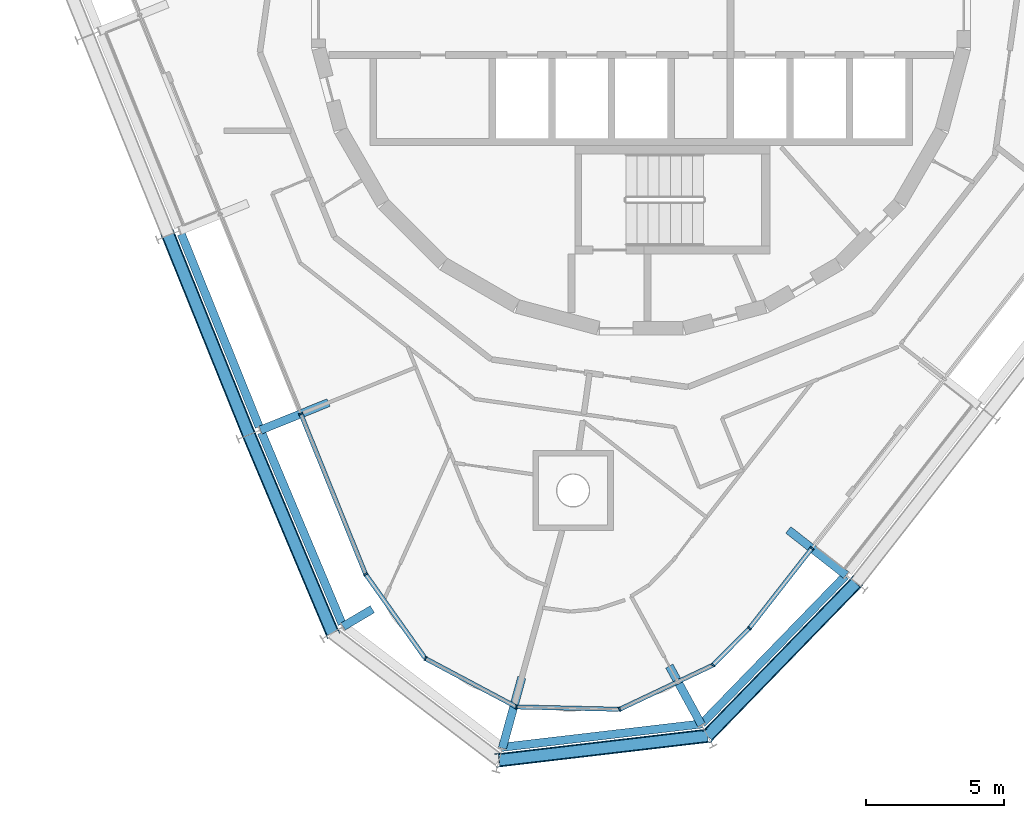
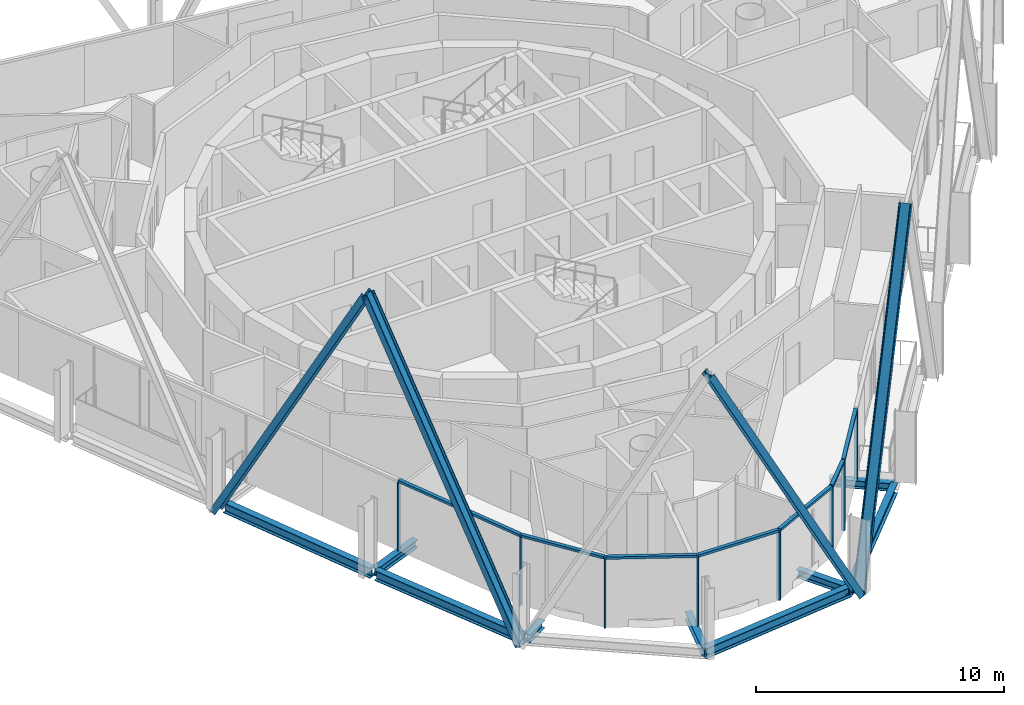
# One storey, part 2 of 15: 19 members, 9 beams, 2 elements without a shape of their own.
"""IFC4 building model written with IfcOpenShell, lengths in metres."""

from ifc_helpers import new_model, si_unit, direction, frame, origin, origin_2d, place, context, subcontext, project, spatial, rectangle, i_section, extrude, material, layer, layer_set, material_profile, profile_set, type_object, element, aggregate, save


model = new_model("IFC4")

# Units and contexts
model_context = context("Model", 3, precision=1e-05, world=origin(), true_north=direction((0.0, 1.0)))
body_context = subcontext(model_context, "Body", "Model", "MODEL_VIEW")
ifc_project = project(units=[si_unit("LENGTHUNIT", "METRE"), si_unit("AREAUNIT", "SQUARE_METRE"), si_unit("VOLUMEUNIT", "CUBIC_METRE"), si_unit("PLANEANGLEUNIT", "RADIAN"), si_unit("MASSUNIT", "GRAM", prefix="KILO")], contexts=[model_context])

# Site, building, storey
site_placement = place(None, origin())
site = spatial("IfcSite", under=ifc_project, at=site_placement, CompositionType="ELEMENT")
building_placement = place(site_placement, origin())
building = spatial("IfcBuilding", under=site, at=building_placement, Name="Spindle Arch Residences", CompositionType="ELEMENT")
storey_placement = place(building_placement, frame((0.0, 0.0, 347.0)))
storey = spatial("IfcBuildingStorey", under=building, at=storey_placement, Name="L89", CompositionType="ELEMENT", Elevation=347.0)

# Curtain wall, members
ifc_material_1 = material(Name="Aluminium bronze unitised frame with tinted glass", Category="aluminium")
ifc_layer_1 = layer(ifc_material_1, 0.159912109375)
ifc_layer_set_1 = layer_set([ifc_layer_1], Name="CW-D corner wall on the fillet arcs")
curtain_wall_type_1 = type_object("IfcCurtainWallType", Name="CW-D corner wall on the fillet arcs", PredefinedType="NOTDEFINED", material=ifc_layer_set_1)
curtain_wall_1_placement = place(storey_placement, origin())
curtain_wall_1 = element("IfcCurtainWall", 1, at=curtain_wall_1_placement, inside=storey, type_object=curtain_wall_type_1, Name="CW-D L89 run 5", PredefinedType="NOTDEFINED")
ifc_material_2 = material(Name="Aluminium bronze anodised mullion", Category="aluminium")
ifc_material_profile_1 = material_profile(ifc_material_2, rectangle(XDim=0.159912109375, YDim=0.06005859375, at=origin_2d()), Name="MU 60x160")
ifc_profile_set_1 = profile_set([ifc_material_profile_1], Name="Aluminium bronze anodised mullion")
member_type_1 = type_object("IfcMemberType", Name="Bronze mullion 60x160", PredefinedType="MULLION", material=ifc_profile_set_1)
member_1_placement = place(storey_placement, frame((-12.292724609375, -14.73779296875, -0.3798828125), z_axis=(0.0, 0.0, 1.0), x_axis=(0.927183854567, 0.374606593416, 0.0)))
member_1 = element("IfcMember", 2, at=member_1_placement, type_object=member_type_1, Name="CW-D mullion 00", PredefinedType="MULLION", context=body_context, shape_type="SweptSolid", body=[
    extrude(rectangle(XDim=0.159912109375, YDim=0.06005859375, at=origin_2d()), origin(), (0.0, 0.0, 1.0), 3.3798828125),
])
member_2_placement = place(storey_placement, frame((-9.951904296875, -20.53173828125, -0.3798828125), z_axis=(0.0, 0.0, 1.0), x_axis=(0.815801266332, 0.578332338584, 0.0)))
member_2 = element("IfcMember", 3, at=member_2_placement, type_object=member_type_1, Name="CW-D mullion 01", PredefinedType="MULLION", context=body_context, shape_type="SweptSolid", body=[
    extrude(rectangle(XDim=0.159912109375, YDim=0.06005859375, at=origin_2d()), origin(), (0.0, 0.0, 1.0), 3.3798828125),
])
member_3_placement = place(storey_placement, frame((-7.79638671875, -23.572021484375, -0.3798828125), z_axis=(0.0, 0.0, 1.0), x_axis=(0.469471563633, 0.882947592408, 0.0)))
member_3 = element("IfcMember", 4, at=member_3_placement, type_object=member_type_1, Name="CW-D mullion 02", PredefinedType="MULLION", context=body_context, shape_type="SweptSolid", body=[
    extrude(rectangle(XDim=0.159912109375, YDim=0.06005859375, at=origin_2d()), origin(), (0.0, 0.0, 1.0), 3.3798828125),
])
member_4_placement = place(storey_placement, frame((-4.505859375, -25.321533203125, -0.3798828125), z_axis=(0.0, 0.0, 1.0), x_axis=(0.023268959422, 0.999729241109, 0.0)))
member_4 = element("IfcMember", 5, at=member_4_placement, type_object=member_type_1, Name="CW-D mullion 03", PredefinedType="MULLION", context=body_context, shape_type="SweptSolid", body=[
    extrude(rectangle(XDim=0.159912109375, YDim=0.06005859375, at=origin_2d()), origin(), (0.0, 0.0, 1.0), 3.3798828125),
])
member_5_placement = place(storey_placement, frame((-0.7802734375, -25.408203125, -0.3798828125), z_axis=(0.0, 0.0, 1.0), x_axis=(-0.427883767902, 0.903833768547, 0.0)))
member_5 = element("IfcMember", 6, at=member_5_placement, type_object=member_type_1, Name="CW-D mullion 04", PredefinedType="MULLION", context=body_context, shape_type="SweptSolid", body=[
    extrude(rectangle(XDim=0.159912109375, YDim=0.06005859375, at=origin_2d()), origin(), (0.0, 0.0, 1.0), 3.3798828125),
])
member_6_placement = place(storey_placement, frame((2.588134765625, -23.813720703125, -0.3798828125), z_axis=(0.0, 0.0, 1.0), x_axis=(-0.711208575748, 0.702981053644, 0.0)))
member_6 = element("IfcMember", 7, at=member_6_placement, type_object=member_type_1, Name="CW-D mullion 05", PredefinedType="MULLION", context=body_context, shape_type="SweptSolid", body=[
    extrude(rectangle(XDim=0.159912109375, YDim=0.06005859375, at=origin_2d()), origin(), (0.0, 0.0, 1.0), 3.3798828125),
])
member_7_placement = place(storey_placement, frame((3.906982421875, -22.479248046875, -0.3798828125), z_axis=(0.0, 0.0, 1.0), x_axis=(-0.788010753607, 0.615661475326, 0.0)))
member_7 = element("IfcMember", 8, at=member_7_placement, type_object=member_type_1, Name="CW-D mullion 06", PredefinedType="MULLION", context=body_context, shape_type="SweptSolid", body=[
    extrude(rectangle(XDim=0.159912109375, YDim=0.06005859375, at=origin_2d()), origin(), (0.0, 0.0, 1.0), 3.3798828125),
])

# Curtain wall, member
ifc_material_3 = material(Name="Aluminium bronze unitised frame with tinted glass", Category="aluminium")
ifc_layer_2 = layer(ifc_material_3, 0.159912109375)
ifc_layer_set_2 = layer_set([ifc_layer_2], Name="CW-C typical residential unitised wall")
curtain_wall_type_2 = type_object("IfcCurtainWallType", Name="CW-C typical residential unitised wall", PredefinedType="NOTDEFINED", material=ifc_layer_set_2)
curtain_wall_2_placement = place(storey_placement, origin())
curtain_wall_2 = element("IfcCurtainWall", 9, at=curtain_wall_2_placement, inside=storey, type_object=curtain_wall_type_2, Name="CW-C L89 run 6", PredefinedType="NOTDEFINED")
member_8_placement = place(storey_placement, frame((6.160400390625, -19.594970703125, -0.3798828125), z_axis=(0.0, 0.0, 1.0), x_axis=(-0.788010753607, 0.615661475326, 0.0)))
member_8 = element("IfcMember", 10, at=member_8_placement, type_object=member_type_1, Name="CW-C mullion 18", PredefinedType="MULLION", context=body_context, shape_type="SweptSolid", body=[
    extrude(rectangle(XDim=0.159912109375, YDim=0.06005859375, at=origin_2d()), origin(), (0.0, 0.0, 1.0), 3.3798828125),
])
aggregate(curtain_wall_2, [member_8])

# Member
ifc_material_4 = material(Name="Aluminium bronze anodised transom", Category="aluminium")
ifc_material_profile_2 = material_profile(ifc_material_4, rectangle(XDim=0.159912109375, YDim=0.1201171875, at=origin_2d()), Name="TR 120x160")
ifc_profile_set_2 = profile_set([ifc_material_profile_2], Name="Aluminium bronze anodised transom")
member_type_2 = type_object("IfcMemberType", Name="Bronze transom 120x160", PredefinedType="USERDEFINED", material=ifc_profile_set_2)
member_9_placement = place(storey_placement, frame((-12.28125, -14.765625, 3.06005859375), z_axis=(0.374564798487, -0.927200739719, 0.0), x_axis=(0.927200739719, 0.374564798487, 0.0)))
member_9 = element("IfcMember", 11, at=member_9_placement, type_object=member_type_2, Name="CW-D transom 00", ObjectType="TRANSOM", PredefinedType="USERDEFINED", context=body_context, shape_type="SweptSolid", body=[
    extrude(rectangle(XDim=0.159912109375, YDim=0.1201171875, at=origin_2d()), origin(), (0.0, 0.0, 1.0), 6.188720703125),
])

member_10_placement = place(storey_placement, frame((-9.934326171875, -20.55615234375, 3.06005859375), z_axis=(0.578349828601, -0.815788867145, 0.0), x_axis=(0.815788867145, 0.578349828601, 0.0)))
member_10 = element("IfcMember", 12, at=member_10_placement, type_object=member_type_2, Name="CW-D transom 01", ObjectType="TRANSOM", PredefinedType="USERDEFINED", context=body_context, shape_type="SweptSolid", body=[
    extrude(rectangle(XDim=0.159912109375, YDim=0.1201171875, at=origin_2d()), origin(), (0.0, 0.0, 1.0), 3.666748046875),
])

member_11_placement = place(storey_placement, frame((-7.77001953125, -23.5859375, 3.06005859375), z_axis=(0.882947559001, -0.469471626463, 0.0), x_axis=(0.469471626463, 0.882947559001, 0.0)))
member_11 = element("IfcMember", 13, at=member_11_placement, type_object=member_type_2, Name="CW-D transom 02", ObjectType="TRANSOM", PredefinedType="USERDEFINED", context=body_context, shape_type="SweptSolid", body=[
    extrude(rectangle(XDim=0.159912109375, YDim=0.1201171875, at=origin_2d()), origin(), (0.0, 0.0, 1.0), 3.666748046875),
])

member_12_placement = place(storey_placement, frame((-4.47607421875, -25.322265625, 3.06005859375), z_axis=(0.999729981043, -0.023237147079, 0.0), x_axis=(0.023237147079, 0.999729981043, 0.0)))
member_12 = element("IfcMember", 14, at=member_12_placement, type_object=member_type_2, Name="CW-D transom 03", ObjectType="TRANSOM", PredefinedType="USERDEFINED", context=body_context, shape_type="SweptSolid", body=[
    extrude(rectangle(XDim=0.159912109375, YDim=0.1201171875, at=origin_2d()), origin(), (0.0, 0.0, 1.0), 3.666748046875),
])

member_13_placement = place(storey_placement, frame((-0.753173828125, -25.3955078125, 3.06005859375), z_axis=(0.903821874806, 0.427908890562, 0.0), x_axis=(-0.427908890562, 0.903821874806, 0.0)))
member_13 = element("IfcMember", 15, at=member_13_placement, type_object=member_type_2, Name="CW-D transom 04", ObjectType="TRANSOM", PredefinedType="USERDEFINED", context=body_context, shape_type="SweptSolid", body=[
    extrude(rectangle(XDim=0.159912109375, YDim=0.1201171875, at=origin_2d()), origin(), (0.0, 0.0, 1.0), 3.6669921875),
])

member_14_placement = place(storey_placement, frame((2.609130859375, -23.792236328125, 3.06005859375), z_axis=(0.703062417903, 0.711128143539, 0.0), x_axis=(-0.711128143539, 0.703062417903, 0.0)))
member_14 = element("IfcMember", 16, at=member_14_placement, type_object=member_type_2, Name="CW-D transom 05", ObjectType="TRANSOM", PredefinedType="USERDEFINED", context=body_context, shape_type="SweptSolid", body=[
    extrude(rectangle(XDim=0.159912109375, YDim=0.1201171875, at=origin_2d()), origin(), (0.0, 0.0, 1.0), 1.816162109375),
])

member_15_placement = place(storey_placement, frame((3.925537109375, -22.455810546875, 3.06005859375), z_axis=(0.615647989673, 0.788021289568, 0.0), x_axis=(-0.788021289568, 0.615647989673, 0.0)))
member_15 = element("IfcMember", 17, at=member_15_placement, type_object=member_type_2, Name="CW-D transom 06", ObjectType="TRANSOM", PredefinedType="USERDEFINED", context=body_context, shape_type="SweptSolid", body=[
    extrude(rectangle(XDim=0.159912109375, YDim=0.1201171875, at=origin_2d()), origin(), (0.0, 0.0, 1.0), 3.600341796875),
])

aggregate(curtain_wall_1, [member_1, member_9, member_2, member_10, member_3, member_11, member_4, member_12, member_5, member_13, member_6, member_14, member_7, member_15])

# Members
ifc_material_5 = material(Name="Steel S460ML, intumescent coating R 240", Category="steel")
ifc_material_profile_3 = material_profile(ifc_material_5, i_section(OverallWidth=0.300048828125, OverallDepth=0.5, WebThickness=0.014404296875, FlangeThickness=0.028076171875, FilletRadius=0.027099609375, at=origin_2d()), Name="HEB 500")
ifc_profile_set_3 = profile_set([ifc_material_profile_3], Name="Steel S460ML, intumescent coating R 240")
member_type_3 = type_object("IfcMemberType", Name="Diagrid diagonal HEB 500", PredefinedType="BRACE", material=ifc_profile_set_3)
member_16_placement = place(storey_placement, frame((-17.07470703125, -8.29443359375, -0.6298828125), z_axis=(0.181715110431, -0.449743373349, 0.87447728202), x_axis=(-0.327595792981, 0.810796838419, 0.485066473002)))
element("IfcMember", 18, at=member_16_placement, inside=storey, type_object=member_type_3, Name="Diagrid diagonal 9.2.14", PredefinedType="BRACE", context=body_context, shape_type="SweptSolid", body=[
    extrude(i_section(OverallWidth=0.300048828125, OverallDepth=0.5, WebThickness=0.014404296875, FlangeThickness=0.028076171875, FilletRadius=0.027099609375, at=origin_2d()), origin(), (0.0, 0.0, 1.0), 16.009521484375),
])
member_17_placement = place(storey_placement, frame((-11.1533203125, -22.64697265625, -0.6298828125), z_axis=(-0.188178640956, 0.446821321562, 0.874608201245), x_axis=(0.339464255002, -0.806041888031, 0.484830376848)))
element("IfcMember", 19, at=member_17_placement, inside=storey, type_object=member_type_3, Name="Diagrid diagonal 9.2.15", PredefinedType="BRACE", context=body_context, shape_type="SweptSolid", body=[
    extrude(i_section(OverallWidth=0.300048828125, OverallDepth=0.5, WebThickness=0.014404296875, FlangeThickness=0.028076171875, FilletRadius=0.027099609375, at=origin_2d()), origin(), (0.0, 0.0, 1.0), 16.007080078125),
])
member_18_placement = place(storey_placement, frame((2.391845703125, -26.363037109375, -0.6298828125), z_axis=(-0.472675618629, -0.055397784954, 0.879493516165), x_axis=(0.873514704335, 0.102376297481, 0.475910868781)))
element("IfcMember", 20, at=member_18_placement, inside=storey, type_object=member_type_3, Name="Diagrid diagonal 9.2.17", PredefinedType="BRACE", context=body_context, shape_type="SweptSolid", body=[
    extrude(i_section(OverallWidth=0.300048828125, OverallDepth=0.5, WebThickness=0.014404296875, FlangeThickness=0.028076171875, FilletRadius=0.027099609375, at=origin_2d()), origin(), (0.0, 0.0, 1.0), 15.918212890625),
])
member_19_placement = place(storey_placement, frame((2.391845703125, -26.363037109375, -0.6298828125), z_axis=(0.335512152518, 0.34578106154, 0.876280236564), x_axis=(-0.610215000812, -0.628891648678, 0.481801771486)))
element("IfcMember", 21, at=member_19_placement, inside=storey, type_object=member_type_3, Name="Diagrid diagonal 9.2.18", PredefinedType="BRACE", context=body_context, shape_type="SweptSolid", body=[
    extrude(i_section(OverallWidth=0.300048828125, OverallDepth=0.5, WebThickness=0.014404296875, FlangeThickness=0.028076171875, FilletRadius=0.027099609375, at=origin_2d()), origin(), (0.0, 0.0, 1.0), 15.9765625),
])

# Beams
ifc_material_6 = material(Name="Steel S460ML, intumescent coating R 120", Category="steel")
ifc_material_profile_4 = material_profile(ifc_material_6, i_section(OverallWidth=0.300048828125, OverallDepth=0.5, WebThickness=0.014404296875, FlangeThickness=0.028076171875, FilletRadius=0.027099609375, at=origin_2d()), Name="HEB 500")
ifc_profile_set_4 = profile_set([ifc_material_profile_4], Name="Steel S460ML, intumescent coating R 120")
beam_type_1 = type_object("IfcBeamType", Name="Exoskeleton edge beam HEB 500", PredefinedType="BEAM", material=ifc_profile_set_4)
beam_1_placement = place(storey_placement, frame((-16.608642578125, -8.24658203125, -0.6298828125), z_axis=(0.374596427458, -0.927187961816, 0.0), x_axis=(0.927187961816, 0.374596427458, 0.0)))
element("IfcBeam", 22, at=beam_1_placement, inside=storey, type_object=beam_type_1, Name="Exoskeleton edge beam 14", PredefinedType="BEAM", context=body_context, shape_type="SweptSolid", body=[
    extrude(i_section(OverallWidth=0.300048828125, OverallDepth=0.5, WebThickness=0.014404296875, FlangeThickness=0.028076171875, FilletRadius=0.027099609375, at=origin_2d()), origin(), (0.0, 0.0, 1.0), 7.50537109375),
])
beam_2_placement = place(storey_placement, frame((-13.711669921875, -15.4150390625, -0.6298828125), z_axis=(0.388148671876, -0.92159677111, 0.0), x_axis=(0.92159677111, 0.388148671876, 0.0)))
element("IfcBeam", 23, at=beam_2_placement, inside=storey, type_object=beam_type_1, Name="Exoskeleton edge beam 15", PredefinedType="BEAM", context=body_context, shape_type="SweptSolid", body=[
    extrude(i_section(OverallWidth=0.300048828125, OverallDepth=0.5, WebThickness=0.014404296875, FlangeThickness=0.028076171875, FilletRadius=0.027099609375, at=origin_2d()), origin(), (0.0, 0.0, 1.0), 7.500732421875),
])
beam_3_placement = place(storey_placement, frame((-5.0556640625, -26.78271484375, -0.6298828125), z_axis=(0.993205848316, 0.116370713117, 0.0), x_axis=(-0.116370713117, 0.993205848316, 0.0)))
element("IfcBeam", 24, at=beam_3_placement, inside=storey, type_object=beam_type_1, Name="Exoskeleton edge beam 17", PredefinedType="BEAM", context=body_context, shape_type="SweptSolid", body=[
    extrude(i_section(OverallWidth=0.300048828125, OverallDepth=0.5, WebThickness=0.014404296875, FlangeThickness=0.028076171875, FilletRadius=0.027099609375, at=origin_2d()), origin(), (0.0, 0.0, 1.0), 7.315673828125),
])
beam_4_placement = place(storey_placement, frame((2.19091796875, -25.927001953125, -0.6298828125), z_axis=(0.696374951776, 0.717678149688, 0.0), x_axis=(-0.717678149688, 0.696374951776, 0.0)))
element("IfcBeam", 25, at=beam_4_placement, inside=storey, type_object=beam_type_1, Name="Exoskeleton edge beam 18", PredefinedType="BEAM", context=body_context, shape_type="SweptSolid", body=[
    extrude(i_section(OverallWidth=0.300048828125, OverallDepth=0.5, WebThickness=0.014404296875, FlangeThickness=0.028076171875, FilletRadius=0.027099609375, at=origin_2d()), origin(), (0.0, 0.0, 1.0), 7.437744140625),
])
ifc_material_7 = material(Name="Steel S460ML, intumescent coating R 120", Category="steel")
ifc_material_profile_5 = material_profile(ifc_material_7, i_section(OverallWidth=0.300048828125, OverallDepth=0.389892578125, WebThickness=0.010986328125, FlangeThickness=0.01904296875, FilletRadius=0.027099609375, at=origin_2d()), Name="HEA 400")
ifc_profile_set_5 = profile_set([ifc_material_profile_5], Name="Steel S460ML, intumescent coating R 120")
beam_type_2 = type_object("IfcBeamType", Name="Floor outrigger HEA 400", PredefinedType="BEAM", material=ifc_profile_set_5)
beam_5_placement = place(storey_placement, frame((-13.748291015625, -15.325927734375, -0.574951171875), z_axis=(0.927187692393, 0.374597094323, 0.0), x_axis=(-0.374597094323, 0.927187692393, 0.0)))
element("IfcBeam", 26, at=beam_5_placement, inside=storey, type_object=beam_type_2, Name="Floor outrigger 15", PredefinedType="BEAM", context=body_context, shape_type="SweptSolid", body=[
    extrude(i_section(OverallWidth=0.300048828125, OverallDepth=0.389892578125, WebThickness=0.010986328125, FlangeThickness=0.01904296875, FilletRadius=0.027099609375, at=origin_2d()), origin(), (0.0, 0.0, 1.0), 2.64990234375),
])
beam_6_placement = place(storey_placement, frame((-10.765869140625, -22.417724609375, -0.574951171875), z_axis=(0.860752508727, 0.509023691709, 0.0), x_axis=(-0.509023691709, 0.860752508727, 0.0)))
element("IfcBeam", 27, at=beam_6_placement, inside=storey, type_object=beam_type_2, Name="Floor outrigger 16", PredefinedType="BEAM", context=body_context, shape_type="SweptSolid", body=[
    extrude(i_section(OverallWidth=0.300048828125, OverallDepth=0.389892578125, WebThickness=0.010986328125, FlangeThickness=0.01904296875, FilletRadius=0.027099609375, at=origin_2d()), origin(), (0.0, 0.0, 1.0), 1.229248046875),
])
beam_7_placement = place(storey_placement, frame((-5.01318359375, -26.810791015625, -0.574951171875), z_axis=(0.2645204188, 0.964380084841, 0.0), x_axis=(-0.964380084841, 0.2645204188, 0.0)))
element("IfcBeam", 28, at=beam_7_placement, inside=storey, type_object=beam_type_2, Name="Floor outrigger 17", PredefinedType="BEAM", context=body_context, shape_type="SweptSolid", body=[
    extrude(i_section(OverallWidth=0.300048828125, OverallDepth=0.389892578125, WebThickness=0.010986328125, FlangeThickness=0.01904296875, FilletRadius=0.027099609375, at=origin_2d()), origin(), (0.0, 0.0, 1.0), 2.64990234375),
])
beam_8_placement = place(storey_placement, frame((2.175537109375, -25.968505859375, -0.574951171875), z_axis=(-0.48032201602, 0.877092219169, 0.0), x_axis=(-0.877092219169, -0.48032201602, 0.0)))
element("IfcBeam", 29, at=beam_8_placement, inside=storey, type_object=beam_type_2, Name="Floor outrigger 18", PredefinedType="BEAM", context=body_context, shape_type="SweptSolid", body=[
    extrude(i_section(OverallWidth=0.300048828125, OverallDepth=0.389892578125, WebThickness=0.010986328125, FlangeThickness=0.01904296875, FilletRadius=0.027099609375, at=origin_2d()), origin(), (0.0, 0.0, 1.0), 2.41943359375),
])
beam_9_placement = place(storey_placement, frame((7.397705078125, -20.561767578125, -0.574951171875), z_axis=(-0.788015993799, 0.615654768127, 0.0), x_axis=(-0.615654768127, -0.788015993799, 0.0)))
element("IfcBeam", 30, at=beam_9_placement, inside=storey, type_object=beam_type_2, Name="Floor outrigger 19", PredefinedType="BEAM", context=body_context, shape_type="SweptSolid", body=[
    extrude(i_section(OverallWidth=0.300048828125, OverallDepth=0.389892578125, WebThickness=0.010986328125, FlangeThickness=0.01904296875, FilletRadius=0.027099609375, at=origin_2d()), origin(), (0.0, 0.0, 1.0), 2.650146484375),
])

save(model, "model.ifc")
